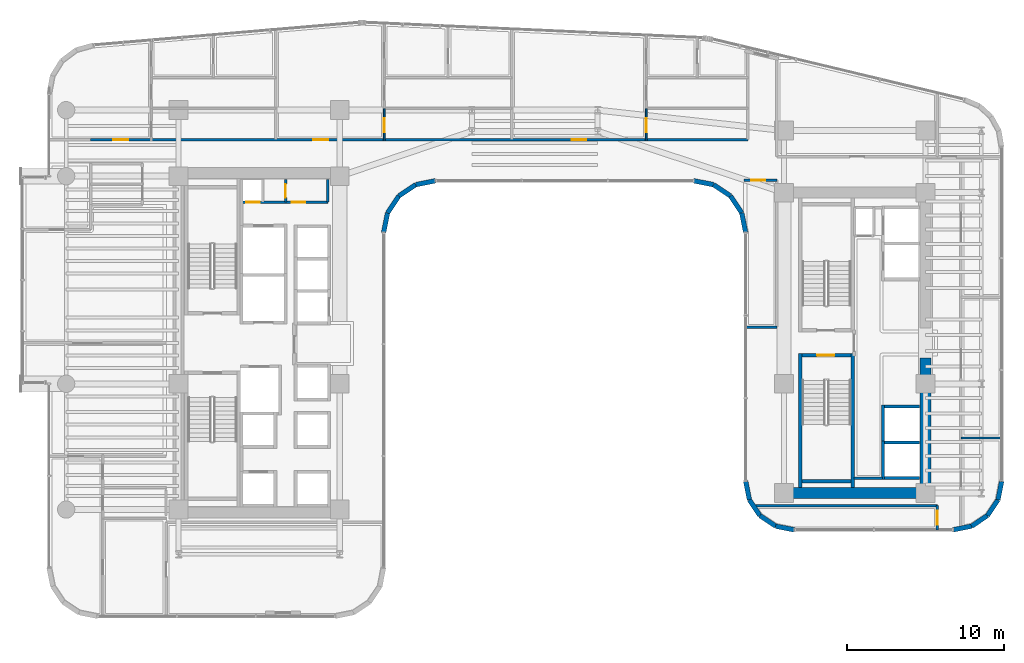
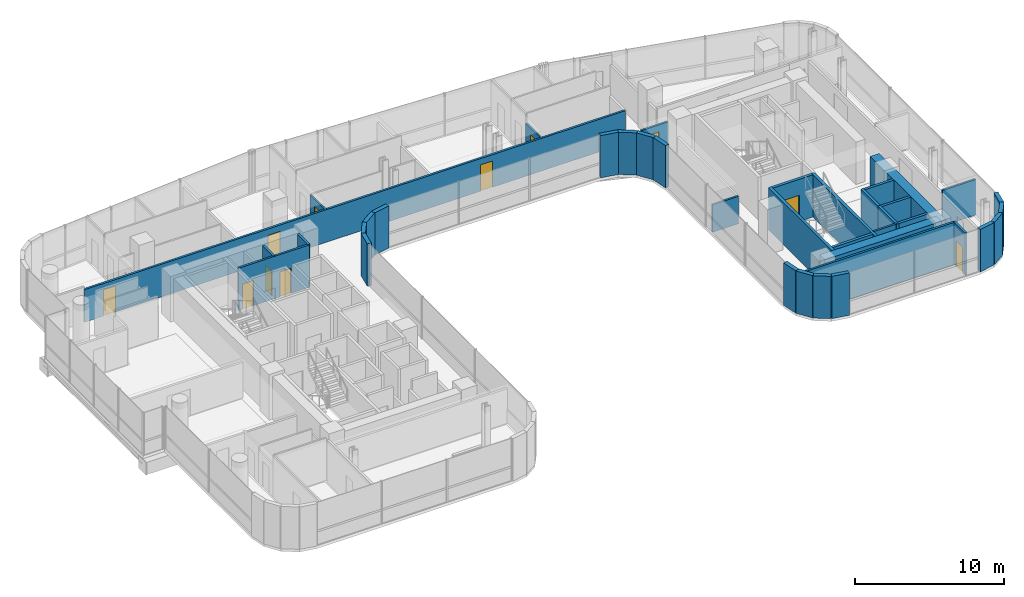
# One storey, part 28 of 35: 39 walls, 11 doors, 11 openings.
"""IFC4 building model written with IfcOpenShell, lengths in metres."""

from ifc_helpers import new_model, si_unit, direction, frame, frame_2d, origin, place, context, subcontext, project, spatial, rectangle, extrude, material, layer, layer_set, type_object, element, fill, save


model = new_model("IFC4")

# Units and contexts
model_context = context("Model", 3, precision=1e-05, world=origin(), true_north=direction((0.0, 1.0)))
body_context = subcontext(model_context, "Body", "Model", "MODEL_VIEW")
ifc_project = project(units=[si_unit("LENGTHUNIT", "METRE"), si_unit("AREAUNIT", "SQUARE_METRE"), si_unit("VOLUMEUNIT", "CUBIC_METRE"), si_unit("PLANEANGLEUNIT", "RADIAN"), si_unit("MASSUNIT", "GRAM", prefix="KILO")], contexts=[model_context])

# Site, building, storey
site_placement = place(None, origin())
site = spatial("IfcSite", under=ifc_project, at=site_placement, CompositionType="ELEMENT")
building_placement = place(site_placement, origin())
building = spatial("IfcBuilding", under=site, at=building_placement, Name="Valdorenza Pilgrim Sanctuary Tower", CompositionType="ELEMENT")
storey_placement = place(building_placement, frame((0.0, 0.0, 105.699951171875)))
storey = spatial("IfcBuildingStorey", under=building, at=storey_placement, Name="L26", CompositionType="ELEMENT", Elevation=105.699951171875)

# Wall, openings, doors
ifc_material_1 = material(Name="Acoustic twin-stud gypsum partition", Category="gypsum")
ifc_layer_1 = layer(ifc_material_1, 0.159912109375, Name="Acoustic twin-stud gypsum partition")
ifc_layer_set_1 = layer_set([ifc_layer_1], Name="Acoustic twin-stud gypsum partition")
wall_type_1 = type_object("IfcWallType", Name="WAL-COR-160", PredefinedType="PARTITIONING", material=ifc_layer_set_1)
wall_1_placement = place(storey_placement, frame((-18.64990234375, 8.949951171875, 0.0), z_axis=(0.0, 0.0, 1.0), x_axis=(1.0, 0.0, 0.0)))
wall_1 = element("IfcWall", 1, at=wall_1_placement, inside=storey, type_object=wall_type_1, Name="L26 Core A North Service South Wall", PredefinedType="PARTITIONING", context=body_context, shape_type="SweptSolid", body=[
    extrude(rectangle(XDim=5.5, YDim=0.159912109375, at=frame_2d((2.75, 0.0))), origin(), (0.0, 0.0, 1.0), 3.4599609375),
])
opening_1_placement = place(wall_1_placement, frame((0.300048828125, 0.0, 0.0)))
opening_1 = element("IfcOpeningElement", 2, at=opening_1_placement, cuts=wall_1, Name="Opening DR-RS1", PredefinedType="OPENING", context=body_context, shape_type="SweptSolid", body=[
    extrude(rectangle(XDim=0.85009765625, YDim=2.050048828125, at=frame_2d((0.425048828125, 1.02490234375))), frame((0.0, 0.0947265625, 0.0), z_axis=(0.0, -1.0, 0.0), x_axis=(1.0, 0.0, 0.0)), (0.0, 0.0, 1.0), 0.189697265625),
])
opening_2_placement = place(wall_1_placement, frame((3.199951171875, 0.0, 0.0)))
opening_2 = element("IfcOpeningElement", 3, at=opening_2_placement, cuts=wall_1, Name="Opening DR-RS1", PredefinedType="OPENING", context=body_context, shape_type="SweptSolid", body=[
    extrude(rectangle(XDim=0.85009765625, YDim=2.050048828125, at=frame_2d((0.425048828125, 1.02490234375))), frame((0.0, 0.0947265625, 0.0), z_axis=(0.0, -1.0, 0.0), x_axis=(1.0, 0.0, 0.0)), (0.0, 0.0, 1.0), 0.189697265625),
])
ifc_material_2 = material(Name="Painted galvanized steel", Category="steel")
door_type_1 = type_object("IfcDoorType", Name="DR-RSR-850", OperationType="NOTDEFINED", PredefinedType="DOOR", material=ifc_material_2)
door_1_placement = place(opening_1_placement, origin())
door_1 = element("IfcDoor", 4, at=door_1_placement, inside=storey, type_object=door_type_1, Name="L26 Core Electrical and Telecom Riser Door", OperationType="SINGLE_SWING_LEFT", OverallHeight=2.050048828125, OverallWidth=0.85009765625, PredefinedType="DOOR", context=body_context, shape_type="SweptSolid", body=[
    extrude(rectangle(XDim=0.85009765625, YDim=2.050048828125, at=frame_2d((0.425048828125, 1.02490234375))), frame((0.0, 0.02490234375, 0.0), z_axis=(0.0, -1.0, 0.0), x_axis=(1.0, 0.0, 0.0)), (0.0, 0.0, 1.0), 0.050048828125),
])
fill(opening_1, door_1)
door_2_placement = place(opening_2_placement, origin())
door_2 = element("IfcDoor", 5, at=door_2_placement, inside=storey, type_object=door_type_1, Name="L26 Housekeeping and Clean Linen Room Door", OperationType="SINGLE_SWING_RIGHT", OverallHeight=2.050048828125, OverallWidth=0.85009765625, PredefinedType="DOOR", context=body_context, shape_type="SweptSolid", body=[
    extrude(rectangle(XDim=0.85009765625, YDim=2.050048828125, at=frame_2d((0.425048828125, 1.02490234375))), frame((0.0, 0.02490234375, 0.0), z_axis=(0.0, -1.0, 0.0), x_axis=(1.0, 0.0, 0.0)), (0.0, 0.0, 1.0), 0.050048828125),
])
fill(opening_2, door_2)

# Wall
wall_2_placement = place(storey_placement, frame((-13.14990234375, 8.949951171875, 0.0), z_axis=(0.0, 0.0, 1.0), x_axis=(0.0, 1.0, 0.0)))
element("IfcWall", 6, at=wall_2_placement, inside=storey, type_object=wall_type_1, Name="L26 Core A North Service East Wall", PredefinedType="PARTITIONING", context=body_context, shape_type="SweptSolid", body=[
    extrude(rectangle(XDim=1.429931640625, YDim=0.159912109375, at=frame_2d((0.71484375, 0.0))), origin(), (0.0, 0.0, 1.0), 3.4599609375),
])

# Wall, opening, door
wall_3_placement = place(storey_placement, frame((-15.85009765625, 8.949951171875, 0.0), z_axis=(0.0, 0.0, 1.0), x_axis=(0.0, 1.0, 0.0)))
wall_3 = element("IfcWall", 7, at=wall_3_placement, inside=storey, type_object=wall_type_1, Name="L26 Core A Split C", PredefinedType="PARTITIONING", context=body_context, shape_type="SweptSolid", body=[
    extrude(rectangle(XDim=1.429931640625, YDim=0.159912109375, at=frame_2d((0.71484375, 0.0))), origin(), (0.0, 0.0, 1.0), 3.4599609375),
])
opening_3_placement = place(wall_3_placement, frame((0.2900390625, 0.0, 0.0)))
opening_3 = element("IfcOpeningElement", 8, at=opening_3_placement, cuts=wall_3, Name="Opening DR-RS1", PredefinedType="OPENING", context=body_context, shape_type="SweptSolid", body=[
    extrude(rectangle(XDim=0.85009765625, YDim=2.050048828125, at=frame_2d((0.425048828125, 1.02490234375))), frame((0.0, 0.0947265625, 0.0), z_axis=(0.0, -1.0, 0.0), x_axis=(1.0, 0.0, 0.0)), (0.0, 0.0, 1.0), 0.189697265625),
])
door_3_placement = place(opening_3_placement, origin())
door_3 = element("IfcDoor", 9, at=door_3_placement, inside=storey, type_object=door_type_1, Name="L26 Clean Linen Supply Store Door", OperationType="SINGLE_SWING_LEFT", OverallHeight=2.050048828125, OverallWidth=0.85009765625, PredefinedType="DOOR", context=body_context, shape_type="SweptSolid", body=[
    extrude(rectangle(XDim=0.85009765625, YDim=2.050048828125, at=frame_2d((0.425048828125, 1.02490234375))), frame((0.0, 0.02490234375, 0.0), z_axis=(0.0, -1.0, 0.0), x_axis=(1.0, 0.0, 0.0)), (0.0, 0.0, 1.0), 0.050048828125),
])
fill(opening_3, door_3)

# Wall
wall_4_placement = place(storey_placement, frame((20.300048828125, -8.60009765625, 0.0), z_axis=(0.0, 0.0, 1.0), x_axis=(1.0, 0.0, 0.0)))
element("IfcWall", 10, at=wall_4_placement, inside=storey, type_object=wall_type_1, Name="L26 Core B Lift Hall South End Wall", PredefinedType="PARTITIONING", context=body_context, shape_type="SweptSolid", body=[
    extrude(rectangle(XDim=1.820068359375, YDim=0.159912109375, at=frame_2d((0.91015625, 0.0))), origin(), (0.0, 0.0, 1.0), 3.4599609375),
])

# Wall, openings, doors
wall_5_placement = place(storey_placement, frame((-28.25, 12.919921875, 0.0), z_axis=(0.0, 0.0, 1.0), x_axis=(1.0, 0.0, 0.0)))
wall_5 = element("IfcWall", 11, at=wall_5_placement, inside=storey, type_object=wall_type_1, Name="L26 North Corridor Wall", PredefinedType="PARTITIONING", context=body_context, shape_type="SweptSolid", body=[
    extrude(rectangle(XDim=41.800048828125, YDim=0.159912109375, at=frame_2d((20.89990234375, 0.0))), origin(), (0.0, 0.0, 1.0), 2.666015625),
])
opening_4_placement = place(wall_5_placement, frame((1.4560546875, 0.0, 0.0)))
opening_4 = element("IfcOpeningElement", 12, at=opening_4_placement, cuts=wall_5, Name="Opening DR-UN1", PredefinedType="OPENING", context=body_context, shape_type="SweptSolid", body=[
    extrude(rectangle(XDim=0.949951171875, YDim=2.14990234375, at=frame_2d((0.47509765625, 1.074951171875))), frame((0.0, 0.0947265625, 0.0), z_axis=(0.0, -1.0, 0.0), x_axis=(1.0, 0.0, 0.0)), (0.0, 0.0, 1.0), 0.189697265625),
])
opening_5_placement = place(wall_5_placement, frame((14.1669921875, 0.0, 0.0)))
opening_5 = element("IfcOpeningElement", 13, at=opening_5_placement, cuts=wall_5, Name="Opening DR-UN1", PredefinedType="OPENING", context=body_context, shape_type="SweptSolid", body=[
    extrude(rectangle(XDim=0.949951171875, YDim=2.14990234375, at=frame_2d((0.47509765625, 1.074951171875))), frame((0.0, 0.0947265625, 0.0), z_axis=(0.0, -1.0, 0.0), x_axis=(1.0, 0.0, 0.0)), (0.0, 0.0, 1.0), 0.189697265625),
])
opening_6_placement = place(wall_5_placement, frame((30.5869140625, 0.0, 0.0)))
opening_6 = element("IfcOpeningElement", 14, at=opening_6_placement, cuts=wall_5, Name="Opening DR-UN1", PredefinedType="OPENING", context=body_context, shape_type="SweptSolid", body=[
    extrude(rectangle(XDim=0.949951171875, YDim=2.14990234375, at=frame_2d((0.47509765625, 1.074951171875))), frame((0.0, 0.0947265625, 0.0), z_axis=(0.0, -1.0, 0.0), x_axis=(1.0, 0.0, 0.0)), (0.0, 0.0, 1.0), 0.189697265625),
])
ifc_material_3 = material(Name="Solid-core European oak timber", Category="wood")
door_type_2 = type_object("IfcDoorType", Name="DR-UNIT-950", OperationType="NOTDEFINED", PredefinedType="DOOR", material=ifc_material_3)
door_4_placement = place(opening_4_placement, frame((0.949951171875, 0.0, 0.0), z_axis=(0.0, 0.0, 1.0), x_axis=(-1.0, 0.0, 0.0)))
door_4 = element("IfcDoor", 15, at=door_4_placement, inside=storey, type_object=door_type_2, Name="L26 North Family Flat L26-N1 Entrance Door", OperationType="SINGLE_SWING_LEFT", OverallHeight=2.14990234375, OverallWidth=0.949951171875, PredefinedType="DOOR", context=body_context, shape_type="SweptSolid", body=[
    extrude(rectangle(XDim=0.949951171875, YDim=2.14990234375, at=frame_2d((0.47509765625, 1.074951171875))), frame((0.0, 0.02490234375, 0.0), z_axis=(0.0, -1.0, 0.0), x_axis=(1.0, 0.0, 0.0)), (0.0, 0.0, 1.0), 0.050048828125),
])
fill(opening_4, door_4)
door_5_placement = place(opening_5_placement, origin())
door_5 = element("IfcDoor", 16, at=door_5_placement, inside=storey, type_object=door_type_2, Name="L26 North Family Flat L26-N2 Entrance Door", OperationType="SINGLE_SWING_RIGHT", OverallHeight=2.14990234375, OverallWidth=0.949951171875, PredefinedType="DOOR", context=body_context, shape_type="SweptSolid", body=[
    extrude(rectangle(XDim=0.949951171875, YDim=2.14990234375, at=frame_2d((0.47509765625, 1.074951171875))), frame((0.0, 0.02490234375, 0.0), z_axis=(0.0, -1.0, 0.0), x_axis=(1.0, 0.0, 0.0)), (0.0, 0.0, 1.0), 0.050048828125),
])
fill(opening_5, door_5)
door_6_placement = place(opening_6_placement, frame((0.949951171875, 0.0, 0.0), z_axis=(0.0, 0.0, 1.0), x_axis=(-1.0, 0.0, 0.0)))
door_6 = element("IfcDoor", 17, at=door_6_placement, inside=storey, type_object=door_type_2, Name="L26 North Family Flat L26-N3 Entrance Door", OperationType="SINGLE_SWING_LEFT", OverallHeight=2.14990234375, OverallWidth=0.949951171875, PredefinedType="DOOR", context=body_context, shape_type="SweptSolid", body=[
    extrude(rectangle(XDim=0.949951171875, YDim=2.14990234375, at=frame_2d((0.47509765625, 1.074951171875))), frame((0.0, 0.02490234375, 0.0), z_axis=(0.0, -1.0, 0.0), x_axis=(1.0, 0.0, 0.0)), (0.0, 0.0, 1.0), 0.050048828125),
])
fill(opening_6, door_6)

# Wall, opening, door
wall_6_placement = place(storey_placement, frame((25.60009765625, -11.889892578125, 0.0), z_axis=(0.0, 0.0, 1.0), x_axis=(0.0, 1.0, 0.0)))
wall_6 = element("IfcWall", 18, at=wall_6_placement, inside=storey, type_object=wall_type_1, Name="L26 Wing B South-East Wall", PredefinedType="PARTITIONING", context=body_context, shape_type="SweptSolid", body=[
    extrude(rectangle(XDim=1.539794921875, YDim=0.159912109375, at=frame_2d((0.77001953125, 0.0))), origin(), (0.0, 0.0, 1.0), 3.4599609375),
])
opening_7_placement = place(wall_6_placement, frame((0.320068359375, 0.0, 0.0)))
opening_7 = element("IfcOpeningElement", 19, at=opening_7_placement, cuts=wall_6, Name="Opening DR-RM1", PredefinedType="OPENING", context=body_context, shape_type="SweptSolid", body=[
    extrude(rectangle(XDim=0.89990234375, YDim=2.10009765625, at=frame_2d((0.449951171875, 1.050048828125))), frame((0.0, 0.0947265625, 0.0), z_axis=(0.0, -1.0, 0.0), x_axis=(1.0, 0.0, 0.0)), (0.0, 0.0, 1.0), 0.189697265625),
])
door_type_3 = type_object("IfcDoorType", Name="DR-ROOM-900", OperationType="NOTDEFINED", PredefinedType="DOOR", material=ifc_material_3)
door_7_placement = place(opening_7_placement, frame((0.89990234375, 0.0, 0.0), z_axis=(0.0, 0.0, 1.0), x_axis=(-1.0, 0.0, 0.0)))
door_7 = element("IfcDoor", 20, at=door_7_placement, inside=storey, type_object=door_type_3, Name="L26 Sacred Manuscript Archive L26-BS Door", OperationType="SINGLE_SWING_LEFT", OverallHeight=2.10009765625, OverallWidth=0.89990234375, PredefinedType="DOOR", context=body_context, shape_type="SweptSolid", body=[
    extrude(rectangle(XDim=0.89990234375, YDim=2.10009765625, at=frame_2d((0.449951171875, 1.050048828125))), frame((0.0, 0.02490234375, 0.0), z_axis=(0.0, -1.0, 0.0), x_axis=(1.0, 0.0, 0.0)), (0.0, 0.0, 1.0), 0.050048828125),
])
fill(opening_7, door_7)

# Wall
wall_7_placement = place(storey_placement, frame((14.043701171875, -10.35009765625, 0.0), z_axis=(0.0, 0.0, 1.0), x_axis=(1.0, 0.0, 0.0)))
element("IfcWall", 21, at=wall_7_placement, inside=storey, type_object=wall_type_1, Name="L26 Wing B South Closure", PredefinedType="PARTITIONING", context=body_context, shape_type="SweptSolid", body=[
    extrude(rectangle(XDim=11.556396484375, YDim=0.159912109375, at=frame_2d((5.7783203125, 0.0))), origin(), (0.0, 0.0, 1.0), 3.4599609375),
])

# Wall, opening, door
wall_8_placement = place(storey_placement, frame((13.300048828125, 10.35009765625, 0.0), z_axis=(0.0, 0.0, 1.0), x_axis=(1.0, 0.0, 0.0)))
wall_8 = element("IfcWall", 22, at=wall_8_placement, inside=storey, type_object=wall_type_1, Name="L26 Courtyard Overlook North Wall", PredefinedType="PARTITIONING", context=body_context, shape_type="SweptSolid", body=[
    extrude(rectangle(XDim=2.099853515625, YDim=0.159912109375, at=frame_2d((1.0498046875, 0.0))), origin(), (0.0, 0.0, 1.0), 2.666015625),
])
opening_8_placement = place(wall_8_placement, frame((0.449951171875, 0.0, 0.0)))
opening_8 = element("IfcOpeningElement", 23, at=opening_8_placement, cuts=wall_8, Name="Opening DR-RM1", PredefinedType="OPENING", context=body_context, shape_type="SweptSolid", body=[
    extrude(rectangle(XDim=0.89990234375, YDim=2.10009765625, at=frame_2d((0.449951171875, 1.050048828125))), frame((0.0, 0.0947265625, 0.0), z_axis=(0.0, -1.0, 0.0), x_axis=(1.0, 0.0, 0.0)), (0.0, 0.0, 1.0), 0.189697265625),
])
door_8_placement = place(opening_8_placement, origin())
door_8 = element("IfcDoor", 24, at=door_8_placement, inside=storey, type_object=door_type_3, Name="L26 Courtyard Overlook Salon Door", OperationType="SINGLE_SWING_RIGHT", OverallHeight=2.10009765625, OverallWidth=0.89990234375, PredefinedType="DOOR", context=body_context, shape_type="SweptSolid", body=[
    extrude(rectangle(XDim=0.89990234375, YDim=2.10009765625, at=frame_2d((0.449951171875, 1.050048828125))), frame((0.0, 0.02490234375, 0.0), z_axis=(0.0, -1.0, 0.0), x_axis=(1.0, 0.0, 0.0)), (0.0, 0.0, 1.0), 0.050048828125),
])
fill(opening_8, door_8)

# Walls
wall_9_placement = place(storey_placement, frame((13.409912109375, 1.0, 0.0), z_axis=(0.0, 0.0, 1.0), x_axis=(1.0, 0.0, 0.0)))
element("IfcWall", 25, at=wall_9_placement, inside=storey, type_object=wall_type_1, Name="L26 Courtyard Overlook South Wall", PredefinedType="PARTITIONING", context=body_context, shape_type="SweptSolid", body=[
    extrude(rectangle(XDim=1.989990234375, YDim=0.159912109375, at=frame_2d((0.9951171875, 0.0))), origin(), (0.0, 0.0, 1.0), 2.2451171875),
])
ifc_material_4 = material(Name="Concrete C60/75", Category="concrete")
ifc_layer_2 = layer(ifc_material_4, 0.699951171875, Name="Concrete C60/75")
ifc_layer_set_2 = layer_set([ifc_layer_2], Name="Concrete C60/75")
wall_type_2 = type_object("IfcWallType", Name="WAL-COR-700", PredefinedType="SHEAR", material=ifc_layer_set_2)
wall_10_placement = place(storey_placement, frame((24.85009765625, -9.89990234375, 0.0), z_axis=(0.0, 0.0, 1.0), x_axis=(0.0, 1.0, 0.0)))
element("IfcWall", 26, at=wall_10_placement, inside=storey, type_object=wall_type_2, Name="L26 Split Core B Shear Wall ES", PredefinedType="SHEAR", context=body_context, shape_type="SweptSolid", body=[
    extrude(rectangle(XDim=8.949951171875, YDim=0.699951171875, at=frame_2d((4.47509765625, 0.0))), origin(), (0.0, 0.0, 1.0), 3.4599609375),
])
wall_11_placement = place(storey_placement, frame((15.85009765625, -9.550048828125, 0.0), z_axis=(0.0, 0.0, 1.0), x_axis=(1.0, 0.0, 0.0)))
element("IfcWall", 27, at=wall_11_placement, inside=storey, type_object=wall_type_2, Name="L26 Split Core B Shear Wall S", PredefinedType="SHEAR", context=body_context, shape_type="SweptSolid", body=[
    extrude(rectangle(XDim=9.0, YDim=0.699951171875, at=frame_2d((4.5, 0.0))), origin(), (0.0, 0.0, 1.0), 3.4599609375),
])
ifc_material_5 = material(Name="Honed travertine limestone", Category="masonry")
ifc_layer_3 = layer(ifc_material_5, 0.300048828125, Name="Honed travertine limestone")
ifc_layer_set_3 = layer_set([ifc_layer_3], Name="Honed travertine limestone")
wall_type_3 = type_object("IfcWallType", Name="WAL-EXT-300", PredefinedType="SOLIDWALL", material=ifc_layer_set_3)
wall_12_placement = place(storey_placement, frame((29.68994140625, -8.789306640625, 0.0), z_axis=(0.0, 0.0, 1.0), x_axis=(-0.194996050505, -0.980804027463, 0.0)))
element("IfcWall", 28, at=wall_12_placement, inside=storey, type_object=wall_type_3, Name="L26 Rounded Wind-Corner Stone Pier 22", PredefinedType="SOLIDWALL", context=body_context, shape_type="SweptSolid", body=[
    extrude(rectangle(XDim=1.2158203125, YDim=0.300048828125, at=frame_2d((0.60791015625, 0.0))), origin(), (0.0, 0.0, 1.0), 3.4599609375),
])
for number, where, z_axis, x_axis, name in (
    (29, (29.452880859375, -9.981689453125, 0.0), (0.0, 0.0, 1.0), (-0.555635100982, -0.831426265255, 0.0), "L26 Rounded Wind-Corner Stone Pier 23"),
    (30, (28.783447265625, -10.9833984375, 0.0), (0.0, 0.0, 1.0), (-0.831426265255, -0.555635100982, 0.0), "L26 Rounded Wind-Corner Stone Pier 24"),
):
    element("IfcWall", number, at=place(storey_placement, frame(where, z_axis=z_axis, x_axis=x_axis)), inside=storey, type_object=wall_type_3, Name=name, PredefinedType="SOLIDWALL", context=body_context, shape_type="SweptSolid", body=[
        extrude(rectangle(XDim=1.204833984375, YDim=0.300048828125, at=frame_2d((0.6025390625, 0.0))), origin(), (0.0, 0.0, 1.0), 3.4599609375),
    ])
wall_13_placement = place(storey_placement, frame((27.78173828125, -11.65283203125, 0.0), z_axis=(0.0, 0.0, 1.0), x_axis=(-0.980811661072, -0.194957650543, 0.0)))
element("IfcWall", 31, at=wall_13_placement, inside=storey, type_object=wall_type_3, Name="L26 Rounded Wind-Corner Stone Pier 25", PredefinedType="SOLIDWALL", context=body_context, shape_type="SweptSolid", body=[
    extrude(rectangle(XDim=1.216064453125, YDim=0.300048828125, at=frame_2d((0.60791015625, 0.0))), origin(), (0.0, 0.0, 1.0), 3.4599609375),
])
wall_14_placement = place(storey_placement, frame((16.5107421875, -11.889892578125, 0.0), z_axis=(0.0, 0.0, 1.0), x_axis=(-0.980804027463, 0.194996050505, 0.0)))
element("IfcWall", 32, at=wall_14_placement, inside=storey, type_object=wall_type_3, Name="L26 Rounded Wind-Corner Stone Pier 27", PredefinedType="SOLIDWALL", context=body_context, shape_type="SweptSolid", body=[
    extrude(rectangle(XDim=1.2158203125, YDim=0.300048828125, at=frame_2d((0.60791015625, 0.0))), origin(), (0.0, 0.0, 1.0), 3.4599609375),
])
for number, where, z_axis, x_axis, name in (
    (33, (15.318359375, -11.65283203125, 0.0), (0.0, 0.0, 1.0), (-0.831426265255, 0.555635100982, 0.0), "L26 Rounded Wind-Corner Stone Pier 28"),
    (34, (14.316650390625, -10.9833984375, 0.0), (0.0, 0.0, 1.0), (-0.555635100982, 0.831426265255, 0.0), "L26 Rounded Wind-Corner Stone Pier 29"),
):
    element("IfcWall", number, at=place(storey_placement, frame(where, z_axis=z_axis, x_axis=x_axis)), inside=storey, type_object=wall_type_3, Name=name, PredefinedType="SOLIDWALL", context=body_context, shape_type="SweptSolid", body=[
        extrude(rectangle(XDim=1.204833984375, YDim=0.300048828125, at=frame_2d((0.6025390625, 0.0))), origin(), (0.0, 0.0, 1.0), 3.4599609375),
    ])
wall_15_placement = place(storey_placement, frame((13.647216796875, -9.981689453125, 0.0), z_axis=(0.0, 0.0, 1.0), x_axis=(-0.195189223115, 0.980765602568, 0.0)))
element("IfcWall", 35, at=wall_15_placement, inside=storey, type_object=wall_type_3, Name="L26 Rounded Wind-Corner Stone Pier 30", PredefinedType="SOLIDWALL", context=body_context, shape_type="SweptSolid", body=[
    extrude(rectangle(XDim=1.2158203125, YDim=0.300048828125, at=frame_2d((0.60791015625, 0.0))), origin(), (0.0, 0.0, 1.0), 3.4599609375),
])
wall_16_placement = place(storey_placement, frame((13.409912109375, 7.0107421875, 0.0), z_axis=(0.0, 0.0, 1.0), x_axis=(-0.195090163074, 0.980785312019, 0.0)))
element("IfcWall", 36, at=wall_16_placement, inside=storey, type_object=wall_type_3, Name="L26 Rounded Wind-Corner Stone Pier 32", PredefinedType="SOLIDWALL", context=body_context, shape_type="SweptSolid", body=[
    extrude(rectangle(XDim=1.281494140625, YDim=0.300048828125, at=frame_2d((0.640625, 0.0))), origin(), (0.0, 0.0, 1.0), 3.4599609375),
])
for number, where, z_axis, x_axis, name in (
    (37, (13.159912109375, 8.267578125, 0.0), (0.0, 0.0, 1.0), (-0.555615398575, 0.831439431869, 0.0), "L26 Rounded Wind-Corner Stone Pier 33"),
    (38, (12.44189453125, 9.342041015625, 0.0), (0.0, 0.0, 1.0), (-0.831439431869, 0.555615398575, 0.0), "L26 Rounded Wind-Corner Stone Pier 34"),
):
    element("IfcWall", number, at=place(storey_placement, frame(where, z_axis=z_axis, x_axis=x_axis)), inside=storey, type_object=wall_type_3, Name=name, PredefinedType="SOLIDWALL", context=body_context, shape_type="SweptSolid", body=[
        extrude(rectangle(XDim=1.292236328125, YDim=0.300048828125, at=frame_2d((0.64599609375, 0.0))), origin(), (0.0, 0.0, 1.0), 3.4599609375),
    ])
for number, where, z_axis, x_axis, name in (
    (39, (11.367431640625, 10.06005859375, 0.0), (0.0, 0.0, 1.0), (-0.980778058848, 0.195126623715, 0.0), "L26 Rounded Wind-Corner Stone Pier 35"),
    (40, (-6.310791015625, 10.31005859375, 0.0), (0.0, 0.0, 1.0), (-0.980778058848, -0.195126623715, 0.0), "L26 Rounded Wind-Corner Stone Pier 37"),
):
    element("IfcWall", number, at=place(storey_placement, frame(where, z_axis=z_axis, x_axis=x_axis)), inside=storey, type_object=wall_type_3, Name=name, PredefinedType="SOLIDWALL", context=body_context, shape_type="SweptSolid", body=[
        extrude(rectangle(XDim=1.28125, YDim=0.300048828125, at=frame_2d((0.640625, 0.0))), origin(), (0.0, 0.0, 1.0), 3.4599609375),
    ])
wall_17_placement = place(storey_placement, frame((-7.5673828125, 10.06005859375, 0.0), z_axis=(0.0, 0.0, 1.0), x_axis=(-0.831497739511, -0.555528135371, 0.0)))
element("IfcWall", 41, at=wall_17_placement, inside=storey, type_object=wall_type_3, Name="L26 Rounded Wind-Corner Stone Pier 38", PredefinedType="SOLIDWALL", context=body_context, shape_type="SweptSolid", body=[
    extrude(rectangle(XDim=1.29248046875, YDim=0.300048828125, at=frame_2d((0.646240234375, 0.0))), origin(), (0.0, 0.0, 1.0), 3.4599609375),
])
wall_18_placement = place(storey_placement, frame((-8.64208984375, 9.342041015625, 0.0), z_axis=(0.0, 0.0, 1.0), x_axis=(-0.555615398575, -0.831439431869, 0.0)))
element("IfcWall", 42, at=wall_18_placement, inside=storey, type_object=wall_type_3, Name="L26 Rounded Wind-Corner Stone Pier 39", PredefinedType="SOLIDWALL", context=body_context, shape_type="SweptSolid", body=[
    extrude(rectangle(XDim=1.292236328125, YDim=0.300048828125, at=frame_2d((0.64599609375, 0.0))), origin(), (0.0, 0.0, 1.0), 3.4599609375),
])
wall_19_placement = place(storey_placement, frame((-9.360107421875, 8.267578125, 0.0), z_axis=(0.0, 0.0, 1.0), x_axis=(-0.195090163074, -0.980785312019, 0.0)))
element("IfcWall", 43, at=wall_19_placement, inside=storey, type_object=wall_type_3, Name="L26 Rounded Wind-Corner Stone Pier 40", PredefinedType="SOLIDWALL", context=body_context, shape_type="SweptSolid", body=[
    extrude(rectangle(XDim=1.281494140625, YDim=0.300048828125, at=frame_2d((0.640625, 0.0))), origin(), (0.0, 0.0, 1.0), 3.4599609375),
])

# Wall, opening, door
ifc_material_6 = material(Name="Moisture-resistant gypsum partition", Category="gypsum")
ifc_layer_4 = layer(ifc_material_6, 0.1201171875, Name="Moisture-resistant gypsum partition")
ifc_layer_set_4 = layer_set([ifc_layer_4], Name="Moisture-resistant gypsum partition")
wall_type_4 = type_object("IfcWallType", Name="WAL-INT-120", PredefinedType="PARTITIONING", material=ifc_layer_set_4)
wall_20_placement = place(storey_placement, frame((-9.57568359375, 12.840087890625, 0.0), z_axis=(0.0, 0.0, 1.0), x_axis=(0.0, 1.0, 0.0)))
wall_20 = element("IfcWall", 44, at=wall_20_placement, inside=storey, type_object=wall_type_4, Name="L26 North Family Flat L26-N2 Kitchen Door Wall", PredefinedType="PARTITIONING", context=body_context, shape_type="SweptSolid", body=[
    extrude(rectangle(XDim=2.079833984375, YDim=0.1201171875, at=frame_2d((1.0400390625, 0.0))), origin(), (0.0, 0.0, 1.0), 2.666015625),
])
opening_9_placement = place(wall_20_placement, frame((0.550048828125, 0.0, 0.0)))
opening_9 = element("IfcOpeningElement", 45, at=opening_9_placement, cuts=wall_20, Name="Opening DR-RM1", PredefinedType="OPENING", context=body_context, shape_type="SweptSolid", body=[
    extrude(rectangle(XDim=0.89990234375, YDim=2.10009765625, at=frame_2d((0.449951171875, 1.050048828125))), frame((0.0, 0.074951171875, 0.0), z_axis=(0.0, -1.0, 0.0), x_axis=(1.0, 0.0, 0.0)), (0.0, 0.0, 1.0), 0.14990234375),
])
door_9_placement = place(opening_9_placement, origin())
door_9 = element("IfcDoor", 46, at=door_9_placement, inside=storey, type_object=door_type_3, Name="L26 North Family Flat L26-N2 Kitchen Door", OperationType="SINGLE_SWING_RIGHT", OverallHeight=2.10009765625, OverallWidth=0.89990234375, PredefinedType="DOOR", context=body_context, shape_type="SweptSolid", body=[
    extrude(rectangle(XDim=0.89990234375, YDim=2.10009765625, at=frame_2d((0.449951171875, 1.050048828125))), frame((0.0, 0.02490234375, 0.0), z_axis=(0.0, -1.0, 0.0), x_axis=(1.0, 0.0, 0.0)), (0.0, 0.0, 1.0), 0.050048828125),
])
fill(opening_9, door_9)

wall_21_placement = place(storey_placement, frame((7.0908203125, 12.840087890625, 0.0), z_axis=(0.0, 0.0, 1.0), x_axis=(0.0, 1.0, 0.0)))
wall_21 = element("IfcWall", 47, at=wall_21_placement, inside=storey, type_object=wall_type_4, Name="L26 North Family Flat L26-N3 Kitchen Door Wall", PredefinedType="PARTITIONING", context=body_context, shape_type="SweptSolid", body=[
    extrude(rectangle(XDim=2.079833984375, YDim=0.1201171875, at=frame_2d((1.0400390625, 0.0))), origin(), (0.0, 0.0, 1.0), 2.666015625),
])
opening_10_placement = place(wall_21_placement, frame((0.550048828125, 0.0, 0.0)))
opening_10 = element("IfcOpeningElement", 48, at=opening_10_placement, cuts=wall_21, Name="Opening DR-RM1", PredefinedType="OPENING", context=body_context, shape_type="SweptSolid", body=[
    extrude(rectangle(XDim=0.89990234375, YDim=2.10009765625, at=frame_2d((0.449951171875, 1.050048828125))), frame((0.0, 0.074951171875, 0.0), z_axis=(0.0, -1.0, 0.0), x_axis=(1.0, 0.0, 0.0)), (0.0, 0.0, 1.0), 0.14990234375),
])
door_10_placement = place(opening_10_placement, origin())
door_10 = element("IfcDoor", 49, at=door_10_placement, inside=storey, type_object=door_type_3, Name="L26 North Family Flat L26-N3 Kitchen Door", OperationType="SINGLE_SWING_LEFT", OverallHeight=2.10009765625, OverallWidth=0.89990234375, PredefinedType="DOOR", context=body_context, shape_type="SweptSolid", body=[
    extrude(rectangle(XDim=0.89990234375, YDim=2.10009765625, at=frame_2d((0.449951171875, 1.050048828125))), frame((0.0, 0.02490234375, 0.0), z_axis=(0.0, -1.0, 0.0), x_axis=(1.0, 0.0, 0.0)), (0.0, 0.0, 1.0), 0.050048828125),
])
fill(opening_10, door_10)

# Walls
ifc_material_7 = material(Name="Autoclaved aerated concrete blockwork", Category="masonry")
ifc_layer_5 = layer(ifc_material_7, 0.199951171875, Name="Autoclaved aerated concrete blockwork")
ifc_layer_set_5 = layer_set([ifc_layer_5], Name="Autoclaved aerated concrete blockwork")
wall_type_5 = type_object("IfcWallType", Name="WAL-SHF-200", PredefinedType="MOVABLE", material=ifc_layer_set_5)
wall_22_placement = place(storey_placement, frame((22.14990234375, -8.699951171875, 0.0), z_axis=(0.0, 0.0, 1.0), x_axis=(0.0, 1.0, 0.0)))
element("IfcWall", 50, at=wall_22_placement, inside=storey, type_object=wall_type_5, Name="L26 Lift PL-03 Hoistway Wall West", PredefinedType="MOVABLE", context=body_context, shape_type="SweptSolid", body=[
    extrude(rectangle(XDim=2.474853515625, YDim=0.199951171875, at=frame_2d((1.2373046875, 0.0))), origin(), (0.0, 0.0, 1.0), 3.4599609375),
])
for number, where, z_axis, x_axis, name in (
    (51, (22.25, -8.60009765625, 0.0), (0.0, 0.0, 1.0), (1.0, 0.0, 0.0), "L26 Lift PL-03 Hoistway Wall South"),
    (52, (22.25, -6.324951171875, 0.0), (0.0, 0.0, 1.0), (1.0, 0.0, 0.0), "L26 Lift PL-03 Hoistway Wall North"),
):
    element("IfcWall", number, at=place(storey_placement, frame(where, z_axis=z_axis, x_axis=x_axis)), inside=storey, type_object=wall_type_5, Name=name, PredefinedType="MOVABLE", context=body_context, shape_type="SweptSolid", body=[
        extrude(rectangle(XDim=2.22998046875, YDim=0.199951171875, at=frame_2d((1.114990234375, 0.0))), origin(), (0.0, 0.0, 1.0), 3.4599609375),
    ])
wall_23_placement = place(storey_placement, frame((22.14990234375, -6.425048828125, 0.0), z_axis=(0.0, 0.0, 1.0), x_axis=(0.0, 1.0, 0.0)))
element("IfcWall", 53, at=wall_23_placement, inside=storey, type_object=wall_type_5, Name="L26 Lift PL-04 Hoistway Wall West", PredefinedType="MOVABLE", context=body_context, shape_type="SweptSolid", body=[
    extrude(rectangle(XDim=2.47509765625, YDim=0.199951171875, at=frame_2d((1.237548828125, 0.0))), origin(), (0.0, 0.0, 1.0), 3.4599609375),
])
wall_24_placement = place(storey_placement, frame((22.25, -4.050048828125, 0.0), z_axis=(0.0, 0.0, 1.0), x_axis=(1.0, 0.0, 0.0)))
element("IfcWall", 54, at=wall_24_placement, inside=storey, type_object=wall_type_5, Name="L26 Lift PL-04 Hoistway Wall North", PredefinedType="MOVABLE", context=body_context, shape_type="SweptSolid", body=[
    extrude(rectangle(XDim=2.22998046875, YDim=0.199951171875, at=frame_2d((1.114990234375, 0.0))), origin(), (0.0, 0.0, 1.0), 3.4599609375),
])
ifc_material_8 = material(Name="Concrete C40/50", Category="concrete")
ifc_layer_6 = layer(ifc_material_8, 0.219970703125, Name="Concrete C40/50")
ifc_layer_set_6 = layer_set([ifc_layer_6], Name="Concrete C40/50")
wall_type_6 = type_object("IfcWallType", Name="WAL-STR-SHF-220", PredefinedType="SHEAR", material=ifc_layer_set_6)
for number, where, z_axis, x_axis, name in (
    (55, (16.889892578125, -9.199951171875, 0.0), (0.0, 0.0, 1.0), (0.0, 1.0, 0.0), "L26 ST-B2 Structural Stairwell Wall W"),
    (56, (20.219970703125, -9.199951171875, 0.0), (0.0, 0.0, 1.0), (0.0, 1.0, 0.0), "L26 ST-B2 Structural Stairwell Wall E"),
):
    element("IfcWall", number, at=place(storey_placement, frame(where, z_axis=z_axis, x_axis=x_axis)), inside=storey, type_object=wall_type_6, Name=name, PredefinedType="SHEAR", context=body_context, shape_type="SweptSolid", body=[
        extrude(rectangle(XDim=8.52001953125, YDim=0.219970703125, at=frame_2d((4.260009765625, 0.0))), origin(), (0.0, 0.0, 1.0), 3.4599609375),
    ])
wall_25_placement = place(storey_placement, frame((17.0, -8.81005859375, 0.0), z_axis=(0.0, 0.0, 1.0), x_axis=(1.0, 0.0, 0.0)))
element("IfcWall", 57, at=wall_25_placement, inside=storey, type_object=wall_type_6, Name="L26 ST-B2 Structural Stairwell Wall S", PredefinedType="SHEAR", context=body_context, shape_type="SweptSolid", body=[
    extrude(rectangle(XDim=3.110107421875, YDim=0.219970703125, at=frame_2d((1.55517578125, 0.0))), origin(), (0.0, 0.0, 1.0), 3.4599609375),
])

# Wall, opening, door
wall_26_placement = place(storey_placement, frame((17.0, -0.7900390625, 0.0), z_axis=(0.0, 0.0, 1.0), x_axis=(1.0, 0.0, 0.0)))
wall_26 = element("IfcWall", 58, at=wall_26_placement, inside=storey, type_object=wall_type_6, Name="L26 ST-B2 Structural Stairwell Wall N", PredefinedType="SHEAR", context=body_context, shape_type="SweptSolid", body=[
    extrude(rectangle(XDim=3.110107421875, YDim=0.219970703125, at=frame_2d((1.55517578125, 0.0))), origin(), (0.0, 0.0, 1.0), 3.4599609375),
])
opening_11_placement = place(wall_26_placement, frame((0.949951171875, 0.0, 0.0)))
opening_11 = element("IfcOpeningElement", 59, at=opening_11_placement, cuts=wall_26, Name="Opening DR-ST1", PredefinedType="OPENING", context=body_context, shape_type="SweptSolid", body=[
    extrude(rectangle(XDim=1.10009765625, YDim=2.14990234375, at=frame_2d((0.550048828125, 1.074951171875))), frame((0.0, 0.125, 0.0), z_axis=(0.0, -1.0, 0.0), x_axis=(1.0, 0.0, 0.0)), (0.0, 0.0, 1.0), 0.249755859375),
])
door_type_4 = type_object("IfcDoorType", Name="DR-STAIR-1100", OperationType="NOTDEFINED", PredefinedType="DOOR", material=ifc_material_2)
door_11_placement = place(opening_11_placement, origin())
door_11 = element("IfcDoor", 60, at=door_11_placement, inside=storey, type_object=door_type_4, Name="L26 Exit Stair ST-B2 Door", OperationType="SINGLE_SWING_RIGHT", OverallHeight=2.14990234375, OverallWidth=1.10009765625, PredefinedType="DOOR", context=body_context, shape_type="SweptSolid", body=[
    extrude(rectangle(XDim=1.10009765625, YDim=2.14990234375, at=frame_2d((0.550048828125, 1.074951171875))), frame((0.0, 0.02490234375, 0.0), z_axis=(0.0, -1.0, 0.0), x_axis=(1.0, 0.0, 0.0)), (0.0, 0.0, 1.0), 0.050048828125),
])
fill(opening_11, door_11)

# Wall
ifc_layer_7 = layer(ifc_material_1, 0.14990234375, Name="Acoustic twin-stud gypsum partition")
ifc_layer_set_7 = layer_set([ifc_layer_7], Name="Acoustic twin-stud gypsum partition")
wall_type_7 = type_object("IfcWallType", Name="WAL-UNT-150", PredefinedType="PARTITIONING", material=ifc_layer_set_7)
wall_27_placement = place(storey_placement, frame((27.10009765625, -6.050048828125, 0.0), z_axis=(0.0, 0.0, 1.0), x_axis=(1.0, 0.0, 0.0)))
element("IfcWall", 61, at=wall_27_placement, inside=storey, type_object=wall_type_7, Name="L26 East Reading Lounge L26-EB2 Demising Wall", PredefinedType="PARTITIONING", context=body_context, shape_type="SweptSolid", body=[
    extrude(rectangle(XDim=2.58984375, YDim=0.14990234375, at=frame_2d((1.294921875, 0.0))), origin(), (0.0, 0.0, 1.0), 2.89599609375),
])

save(model, "model.ifc")
